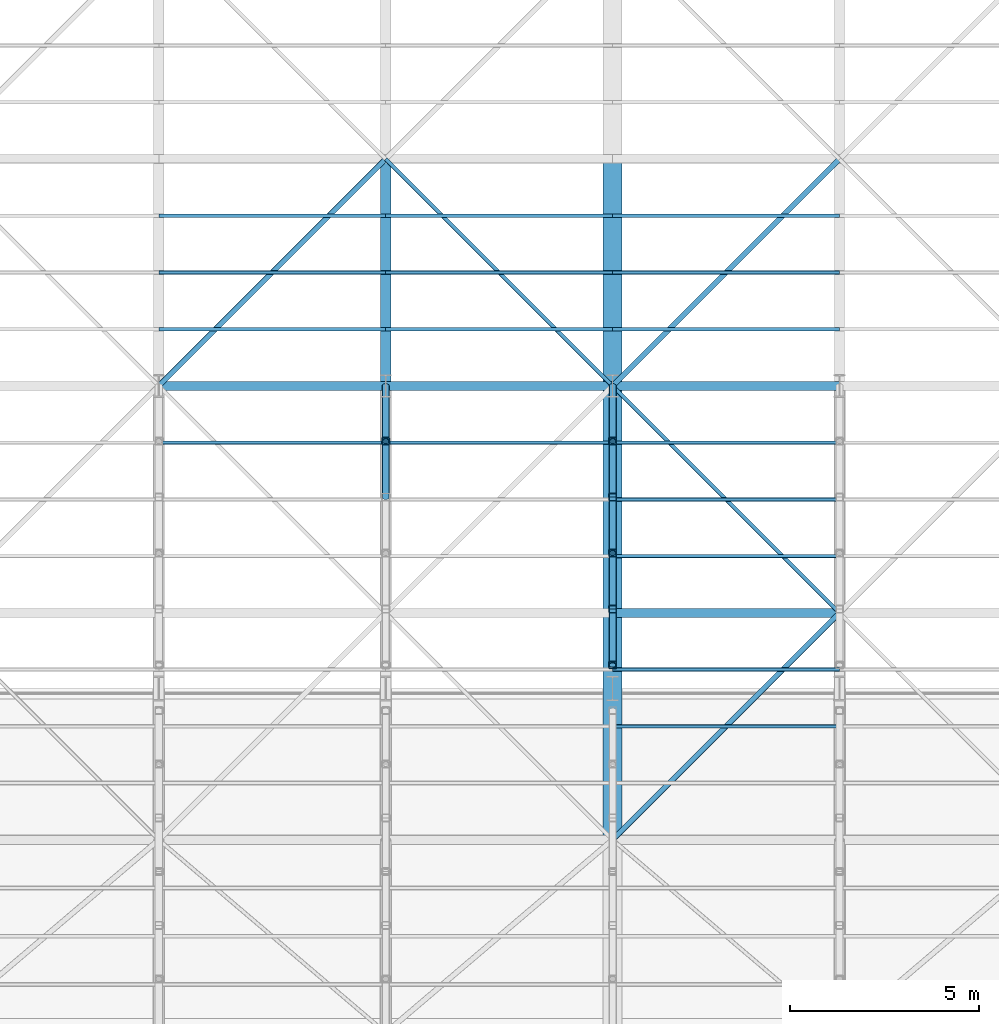
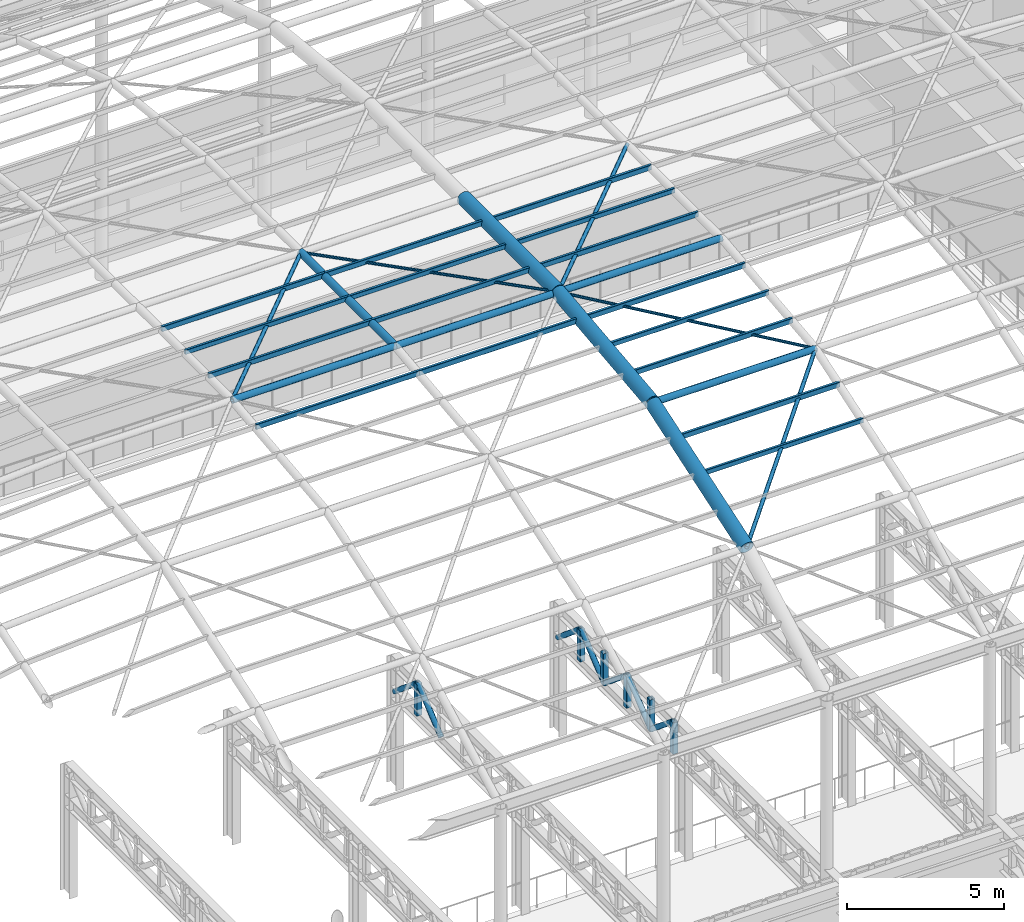
# One storey, part 30 of 75: 42 members.
"""IFC4 building model written with IfcOpenShell, lengths in metres."""

from ifc_helpers import new_model, si_unit, direction, frame, origin, origin_2d, place, context, subcontext, project, spatial, hollow_rectangle, hollow_circle, extrude, material, material_profile, profile_set, type_object, element, save


model = new_model("IFC4")

# Units and contexts
model_context = context("Model", 3, precision=1e-05, world=origin(), true_north=direction((0.0, 1.0)))
body_context = subcontext(model_context, "Body", "Model", "MODEL_VIEW")
ifc_project = project(units=[si_unit("LENGTHUNIT", "METRE"), si_unit("AREAUNIT", "SQUARE_METRE"), si_unit("VOLUMEUNIT", "CUBIC_METRE"), si_unit("PLANEANGLEUNIT", "RADIAN"), si_unit("MASSUNIT", "GRAM", prefix="KILO")], contexts=[model_context])

# Site, building, storey
site_placement = place(None, origin())
site = spatial("IfcSite", under=ifc_project, at=site_placement, CompositionType="ELEMENT")
building_placement = place(site_placement, origin())
building = spatial("IfcBuilding", under=site, at=building_placement, Name="Kolvaren Corner Interchange", CompositionType="ELEMENT")
storey_placement = place(building_placement, frame((0.0, 0.0, 10.5)))
storey = spatial("IfcBuildingStorey", under=building, at=storey_placement, Name="L03", CompositionType="ELEMENT", Elevation=10.5)

# Members
ifc_material_1 = material(Name="Steel S355", Category="steel")
ifc_material_profile_1 = material_profile(ifc_material_1, hollow_circle(Radius=0.05078125, WallThickness=0.00634765625, at=origin_2d()), Name="CHS 101.6x6.3")
ifc_profile_set_1 = profile_set([ifc_material_profile_1], Name="Steel S355")
member_type_1 = type_object("IfcMemberType", Name="MEM-BR-CHS102", PredefinedType="BRACE", material=ifc_profile_set_1)
member_1_placement = place(storey_placement, frame((84.0, 48.0, 17.080078125), z_axis=(0.707106781187, -0.707106781187, 0.0), x_axis=(0.707106781187, 0.707106781187, 0.0)))
element("IfcMember", 1, at=member_1_placement, inside=storey, type_object=member_type_1, Name="Concourse Translational Gridshell Nodal Diagonal Brace 0052", PredefinedType="BRACE", context=body_context, shape_type="SweptSolid", body=[
    extrude(hollow_circle(Radius=0.05078125, WallThickness=0.00634765625, at=origin_2d()), origin(), (0.0, 0.0, 1.0), 8.4853515625),
])
member_2_placement = place(storey_placement, frame((90.0, 42.0, 17.080078125), z_axis=(0.704932292788, -0.704932292788, -0.078364055334), x_axis=(0.707106781187, 0.707106781187, 0.0)))
element("IfcMember", 2, at=member_2_placement, inside=storey, type_object=member_type_1, Name="Concourse Translational Gridshell Nodal Diagonal Brace 0059", PredefinedType="BRACE", context=body_context, shape_type="SweptSolid", body=[
    extrude(hollow_circle(Radius=0.05078125, WallThickness=0.00634765625, at=origin_2d()), origin(), (0.0, 0.0, 1.0), 8.511474609375),
])
ifc_material_2 = material(Name="Steel S355", Category="steel")
ifc_material_profile_2 = material_profile(ifc_material_2, hollow_circle(Radius=0.06982421875, WallThickness=0.008056640625, at=origin_2d()), Name="CHS 139.7x8.0")
ifc_profile_set_2 = profile_set([ifc_material_profile_2], Name="Steel S355")
member_type_2 = type_object("IfcMemberType", Name="MEM-BR-CHS140", PredefinedType="BRACE", material=ifc_profile_set_2)
member_3_placement = place(storey_placement, frame((78.0, 42.0, 17.080078125), z_axis=(0.707106781187, 0.707106781187, 0.0), x_axis=(-0.707106781187, 0.707106781187, 0.0)))
element("IfcMember", 3, at=member_3_placement, inside=storey, type_object=member_type_2, Name="Concourse Translational Gridshell Nodal Diagonal Brace 0044", PredefinedType="BRACE", context=body_context, shape_type="SweptSolid", body=[
    extrude(hollow_circle(Radius=0.06982421875, WallThickness=0.008056640625, at=origin_2d()), origin(), (0.0, 0.0, 1.0), 8.4853515625),
])
member_4_placement = place(storey_placement, frame((90.0, 30.0, 14.4130859375), z_axis=(0.688247201612, 0.688247201612, 0.229415733871), x_axis=(-0.707106781187, 0.707106781187, 0.0)))
element("IfcMember", 4, at=member_4_placement, inside=storey, type_object=member_type_2, Name="Concourse Translational Gridshell Nodal Diagonal Brace 0058", PredefinedType="BRACE", context=body_context, shape_type="SweptSolid", body=[
    extrude(hollow_circle(Radius=0.06982421875, WallThickness=0.008056640625, at=origin_2d()), origin(), (0.0, 0.0, 1.0), 8.7177734375),
])
member_5_placement = place(storey_placement, frame((90.0, 42.0, 17.080078125), z_axis=(0.707106781187, 0.707106781187, 0.0), x_axis=(-0.707106781187, 0.707106781187, 0.0)))
element("IfcMember", 5, at=member_5_placement, inside=storey, type_object=member_type_2, Name="Concourse Translational Gridshell Nodal Diagonal Brace 0060", PredefinedType="BRACE", context=body_context, shape_type="SweptSolid", body=[
    extrude(hollow_circle(Radius=0.06982421875, WallThickness=0.008056640625, at=origin_2d()), origin(), (0.0, 0.0, 1.0), 8.4853515625),
])
ifc_material_3 = material(Name="Steel S355", Category="steel")
ifc_material_profile_3 = material_profile(ifc_material_3, hollow_circle(Radius=0.096923828125, WallThickness=0.010009765625, at=origin_2d()), Name="CHS 193.7x10.0")
ifc_profile_set_3 = profile_set([ifc_material_profile_3], Name="Steel S355")
member_type_3 = type_object("IfcMemberType", Name="MEM-BR-CHS194", PredefinedType="BRACE", material=ifc_profile_set_3)
member_6_placement = place(storey_placement, frame((84.0, 39.06005859375, 3.64990234375), z_axis=(0.0, 0.771570054348, 0.636144363516), x_axis=(-1.0, 0.0, 0.0)))
element("IfcMember", 6, at=member_6_placement, inside=storey, type_object=member_type_3, Name="South Portal Cantilever Roof Truss TOP Line 3 Diagonal 17", PredefinedType="BRACE", context=body_context, shape_type="SweptSolid", body=[
    extrude(hollow_circle(Radius=0.096923828125, WallThickness=0.010009765625, at=origin_2d()), origin(), (0.0, 0.0, 1.0), 1.918212890625),
])
member_7_placement = place(storey_placement, frame((84.0, 40.5400390625, 4.8701171875), z_axis=(0.0, 0.76729496063, -0.641294350039), x_axis=(-1.0, 0.0, 0.0)))
element("IfcMember", 7, at=member_7_placement, inside=storey, type_object=member_type_3, Name="South Portal Cantilever Roof Truss TOP Line 3 Diagonal 18", PredefinedType="BRACE", context=body_context, shape_type="SweptSolid", body=[
    extrude(hollow_circle(Radius=0.096923828125, WallThickness=0.010009765625, at=origin_2d()), origin(), (0.0, 0.0, 1.0), 1.90283203125),
])
for number, where, z_axis, x_axis, name in (
    (8, (90.0, 34.6201171875, 4.8701171875), (0.0, 0.771570054348, -0.636144363516), (-1.0, 0.0, 0.0), "South Portal Cantilever Roof Truss TOP Line 4 Diagonal 14"),
    (9, (90.0, 36.10009765625, 3.64990234375), (0.0, 0.771570054348, 0.636144363516), (-1.0, 0.0, 0.0), "South Portal Cantilever Roof Truss TOP Line 4 Diagonal 15"),
    (10, (90.0, 37.580078125, 4.8701171875), (0.0, 0.771570054348, -0.636144363516), (-1.0, 0.0, 0.0), "South Portal Cantilever Roof Truss TOP Line 4 Diagonal 16"),
    (11, (90.0, 39.06005859375, 3.64990234375), (0.0, 0.771570054348, 0.636144363516), (-1.0, 0.0, 0.0), "South Portal Cantilever Roof Truss TOP Line 4 Diagonal 17"),
):
    element("IfcMember", number, at=place(storey_placement, frame(where, z_axis=z_axis, x_axis=x_axis)), inside=storey, type_object=member_type_3, Name=name, PredefinedType="BRACE", context=body_context, shape_type="SweptSolid", body=[
        extrude(hollow_circle(Radius=0.096923828125, WallThickness=0.010009765625, at=origin_2d()), origin(), (0.0, 0.0, 1.0), 1.918212890625),
    ])
member_8_placement = place(storey_placement, frame((90.0, 40.5400390625, 4.8701171875), z_axis=(0.0, 0.76729496063, -0.641294350039), x_axis=(-1.0, 0.0, 0.0)))
element("IfcMember", 12, at=member_8_placement, inside=storey, type_object=member_type_3, Name="South Portal Cantilever Roof Truss TOP Line 4 Diagonal 18", PredefinedType="BRACE", context=body_context, shape_type="SweptSolid", body=[
    extrude(hollow_circle(Radius=0.096923828125, WallThickness=0.010009765625, at=origin_2d()), origin(), (0.0, 0.0, 1.0), 1.90283203125),
])
ifc_material_4 = material(Name="Steel S355", Category="steel")
ifc_material_profile_4 = material_profile(ifc_material_4, hollow_circle(Radius=0.122314453125, WallThickness=0.012451171875, at=origin_2d()), Name="CHS 244.5x12.5")
ifc_profile_set_4 = profile_set([ifc_material_profile_4], Name="Steel S355")
member_type_4 = type_object("IfcMemberType", Name="MEM-CH-CHS245", PredefinedType="CHORD", material=ifc_profile_set_4)
for number, where, z_axis, x_axis, name in (
    (13, (90.0, 36.0, 16.4130859375), (1.0, 0.0, 0.0), (0.0, 1.0, 0.0), "Concourse Translational Gridshell Longitudinal Arch Chord 0126"),
    (14, (78.0, 42.0, 17.080078125), (1.0, 0.0, 0.0), (0.0, 1.0, 0.0), "Concourse Translational Gridshell Longitudinal Arch Chord 0138"),
    (15, (84.0, 42.0, 17.080078125), (1.0, 0.0, 0.0), (0.0, 1.0, 0.0), "Concourse Translational Gridshell Longitudinal Arch Chord 0139"),
    (16, (90.0, 42.0, 17.080078125), (1.0, 0.0, 0.0), (0.0, 1.0, 0.0), "Concourse Translational Gridshell Longitudinal Arch Chord 0140"),
):
    element("IfcMember", number, at=place(storey_placement, frame(where, z_axis=z_axis, x_axis=x_axis)), inside=storey, type_object=member_type_4, Name=name, PredefinedType="CHORD", context=body_context, shape_type="SweptSolid", body=[
        extrude(hollow_circle(Radius=0.122314453125, WallThickness=0.012451171875, at=origin_2d()), origin(), (0.0, 0.0, 1.0), 6.0),
    ])
ifc_material_5 = material(Name="Steel S355", Category="steel")
ifc_material_profile_5 = material_profile(ifc_material_5, hollow_circle(Radius=0.136474609375, WallThickness=0.012451171875, at=origin_2d()), Name="CHS 273.0x12.5")
ifc_profile_set_5 = profile_set([ifc_material_profile_5], Name="Steel S355")
member_type_5 = type_object("IfcMemberType", Name="MEM-CH-CHS273", PredefinedType="CHORD", material=ifc_profile_set_5)
member_9_placement = place(storey_placement, frame((84.0, 42.0, 17.080078125), z_axis=(0.0, 1.0, 0.0), x_axis=(-1.0, 0.0, 0.0)))
element("IfcMember", 17, at=member_9_placement, inside=storey, type_object=member_type_5, Name="Concourse Translational Gridshell Transverse Arch Chord 0044", PredefinedType="CHORD", context=body_context, shape_type="SweptSolid", body=[
    extrude(hollow_circle(Radius=0.136474609375, WallThickness=0.012451171875, at=origin_2d()), origin(), (0.0, 0.0, 1.0), 6.0),
])
ifc_material_6 = material(Name="Steel S355", Category="steel")
ifc_material_profile_6 = material_profile(ifc_material_6, hollow_circle(Radius=0.25390625, WallThickness=0.01611328125, at=origin_2d()), Name="CHS 508.0x16.0")
ifc_profile_set_6 = profile_set([ifc_material_profile_6], Name="Steel S355")
member_type_6 = type_object("IfcMemberType", Name="MEM-CH-CHS508", PredefinedType="CHORD", material=ifc_profile_set_6)
member_10_placement = place(storey_placement, frame((90.0, 30.0, 14.4130859375), z_axis=(0.0, 0.948683298051, 0.316227766017), x_axis=(-1.0, 0.0, 0.0)))
element("IfcMember", 18, at=member_10_placement, inside=storey, type_object=member_type_6, Name="Concourse Translational Gridshell Transverse Arch Chord 0050", PredefinedType="CHORD", context=body_context, shape_type="SweptSolid", body=[
    extrude(hollow_circle(Radius=0.25390625, WallThickness=0.01611328125, at=origin_2d()), origin(), (0.0, 0.0, 1.0), 6.324462890625),
])
member_11_placement = place(storey_placement, frame((90.0, 36.0, 16.4130859375), z_axis=(0.0, 0.993877815052, 0.110484789662), x_axis=(-1.0, 0.0, 0.0)))
element("IfcMember", 19, at=member_11_placement, inside=storey, type_object=member_type_6, Name="Concourse Translational Gridshell Transverse Arch Chord 0051", PredefinedType="CHORD", context=body_context, shape_type="SweptSolid", body=[
    extrude(hollow_circle(Radius=0.25390625, WallThickness=0.01611328125, at=origin_2d()), origin(), (0.0, 0.0, 1.0), 6.036865234375),
])
member_12_placement = place(storey_placement, frame((90.0, 42.0, 17.080078125), z_axis=(0.0, 1.0, 0.0), x_axis=(-1.0, 0.0, 0.0)))
element("IfcMember", 20, at=member_12_placement, inside=storey, type_object=member_type_6, Name="Concourse Translational Gridshell Transverse Arch Chord 0052", PredefinedType="CHORD", context=body_context, shape_type="SweptSolid", body=[
    extrude(hollow_circle(Radius=0.25390625, WallThickness=0.01611328125, at=origin_2d()), origin(), (0.0, 0.0, 1.0), 6.0),
])
ifc_material_7 = material(Name="Steel S355", Category="steel")
ifc_material_profile_7 = material_profile(ifc_material_7, hollow_rectangle(XDim=0.10009765625, YDim=0.179931640625, WallThickness=0.008056640625, InnerFilletRadius=0.008056640625, OuterFilletRadius=0.01611328125, at=origin_2d()), Name="RHS 180x100x8.0")
ifc_profile_set_7 = profile_set([ifc_material_profile_7], Name="Steel S355")
member_type_7 = type_object("IfcMemberType", Name="MEM-PR-RHS180", PredefinedType="PURLIN", material=ifc_profile_set_7)
for number, where, z_axis, x_axis, name in (
    (21, (78.0, 45.0, 17.1279296875), (1.0, 0.0, 0.0), (0.0, 1.0, 0.0), "Concourse Translational Gridshell Glazing Purlin 0044 Row 2"),
    (22, (84.0, 45.0, 17.1279296875), (1.0, 0.0, 0.0), (0.0, 1.0, 0.0), "Concourse Translational Gridshell Glazing Purlin 0052 Row 2"),
    (23, (90.0, 33.0, 15.4609375), (1.0, 0.0, 0.0), (0.0, 1.0, 0.0), "Concourse Translational Gridshell Glazing Purlin 0058 Row 2"),
    (24, (90.0, 39.0, 16.79443359375), (1.0, 0.0, 0.0), (0.0, 1.0, 0.0), "Concourse Translational Gridshell Glazing Purlin 0059 Row 2"),
    (25, (90.0, 45.0, 17.1279296875), (1.0, 0.0, 0.0), (0.0, 1.0, 0.0), "Concourse Translational Gridshell Glazing Purlin 0060 Row 2"),
):
    element("IfcMember", number, at=place(storey_placement, frame(where, z_axis=z_axis, x_axis=x_axis)), inside=storey, type_object=member_type_7, Name=name, PredefinedType="PURLIN", context=body_context, shape_type="SweptSolid", body=[
        extrude(hollow_rectangle(XDim=0.10009765625, YDim=0.179931640625, WallThickness=0.008056640625, InnerFilletRadius=0.008056640625, OuterFilletRadius=0.01611328125, at=origin_2d()), origin(), (0.0, 0.0, 1.0), 6.0),
    ])
ifc_material_8 = material(Name="Steel S355", Category="steel")
ifc_material_profile_8 = material_profile(ifc_material_8, hollow_rectangle(XDim=0.10009765625, YDim=0.199951171875, WallThickness=0.008056640625, InnerFilletRadius=0.008056640625, OuterFilletRadius=0.01611328125, at=origin_2d()), Name="RHS 200x100x8.0")
ifc_profile_set_8 = profile_set([ifc_material_profile_8], Name="Steel S355")
member_type_8 = type_object("IfcMemberType", Name="MEM-PR-RHS200", PredefinedType="PURLIN", material=ifc_profile_set_8)
for number, where, z_axis, x_axis, name in (
    (26, (78.0, 40.5, 16.951171875), (1.0, 0.0, 0.0), (0.0, 1.0, 0.0), "Concourse Translational Gridshell Glazing Purlin 0043 Row 3"),
    (27, (78.0, 43.5, 17.117919921875), (1.0, 0.0, 0.0), (0.0, 1.0, 0.0), "Concourse Translational Gridshell Glazing Purlin 0044 Row 1"),
    (28, (78.0, 46.5, 17.117919921875), (1.0, 0.0, 0.0), (0.0, 1.0, 0.0), "Concourse Translational Gridshell Glazing Purlin 0044 Row 3"),
    (29, (84.0, 40.5, 16.951171875), (1.0, 0.0, 0.0), (0.0, 1.0, 0.0), "Concourse Translational Gridshell Glazing Purlin 0051 Row 3"),
    (30, (84.0, 43.5, 17.117919921875), (1.0, 0.0, 0.0), (0.0, 1.0, 0.0), "Concourse Translational Gridshell Glazing Purlin 0052 Row 1"),
    (31, (84.0, 46.5, 17.117919921875), (1.0, 0.0, 0.0), (0.0, 1.0, 0.0), "Concourse Translational Gridshell Glazing Purlin 0052 Row 3"),
    (32, (90.0, 34.5, 15.950927734375), (1.0, 0.0, 0.0), (0.0, 1.0, 0.0), "Concourse Translational Gridshell Glazing Purlin 0058 Row 3"),
    (33, (90.0, 37.5, 16.61767578125), (1.0, 0.0, 0.0), (0.0, 1.0, 0.0), "Concourse Translational Gridshell Glazing Purlin 0059 Row 1"),
    (34, (90.0, 40.5, 16.951171875), (1.0, 0.0, 0.0), (0.0, 1.0, 0.0), "Concourse Translational Gridshell Glazing Purlin 0059 Row 3"),
    (35, (90.0, 43.5, 17.117919921875), (1.0, 0.0, 0.0), (0.0, 1.0, 0.0), "Concourse Translational Gridshell Glazing Purlin 0060 Row 1"),
    (36, (90.0, 46.5, 17.117919921875), (1.0, 0.0, 0.0), (0.0, 1.0, 0.0), "Concourse Translational Gridshell Glazing Purlin 0060 Row 3"),
):
    element("IfcMember", number, at=place(storey_placement, frame(where, z_axis=z_axis, x_axis=x_axis)), inside=storey, type_object=member_type_8, Name=name, PredefinedType="PURLIN", context=body_context, shape_type="SweptSolid", body=[
        extrude(hollow_rectangle(XDim=0.10009765625, YDim=0.199951171875, WallThickness=0.008056640625, InnerFilletRadius=0.008056640625, OuterFilletRadius=0.01611328125, at=origin_2d()), origin(), (0.0, 0.0, 1.0), 6.0),
    ])
ifc_material_9 = material(Name="Steel S355", Category="steel")
ifc_material_profile_9 = material_profile(ifc_material_9, hollow_rectangle(XDim=0.199951171875, YDim=0.199951171875, WallThickness=0.010009765625, InnerFilletRadius=0.010009765625, OuterFilletRadius=0.02001953125, at=origin_2d()), Name="SHS 200x200x10.0")
ifc_profile_set_9 = profile_set([ifc_material_profile_9], Name="Steel S355")
member_type_9 = type_object("IfcMemberType", Name="MEM-PT-SHS200", PredefinedType="POST", material=ifc_profile_set_9)
for number, where, z_axis, x_axis, name in (
    (37, (84.0, 40.5400390625, 3.64990234375), (0.0, 0.0, 1.0), (1.0, 0.0, 0.0), "South Portal Cantilever Roof Truss TOP Line 3 Web Post 18"),
    (38, (90.0, 34.6201171875, 3.64990234375), (0.0, 0.0, 1.0), (1.0, 0.0, 0.0), "South Portal Cantilever Roof Truss TOP Line 4 Web Post 14"),
    (39, (90.0, 36.10009765625, 3.64990234375), (0.0, 0.0, 1.0), (1.0, 0.0, 0.0), "South Portal Cantilever Roof Truss TOP Line 4 Web Post 15"),
    (40, (90.0, 37.580078125, 3.64990234375), (0.0, 0.0, 1.0), (1.0, 0.0, 0.0), "South Portal Cantilever Roof Truss TOP Line 4 Web Post 16"),
    (41, (90.0, 39.06005859375, 3.64990234375), (0.0, 0.0, 1.0), (1.0, 0.0, 0.0), "South Portal Cantilever Roof Truss TOP Line 4 Web Post 17"),
    (42, (90.0, 40.5400390625, 3.64990234375), (0.0, 0.0, 1.0), (1.0, 0.0, 0.0), "South Portal Cantilever Roof Truss TOP Line 4 Web Post 18"),
):
    element("IfcMember", number, at=place(storey_placement, frame(where, z_axis=z_axis, x_axis=x_axis)), inside=storey, type_object=member_type_9, Name=name, PredefinedType="POST", context=body_context, shape_type="SweptSolid", body=[
        extrude(hollow_rectangle(XDim=0.199951171875, YDim=0.199951171875, WallThickness=0.010009765625, InnerFilletRadius=0.010009765625, OuterFilletRadius=0.02001953125, at=origin_2d()), origin(), (0.0, 0.0, 1.0), 1.22021484375),
    ])

save(model, "model.ifc")
